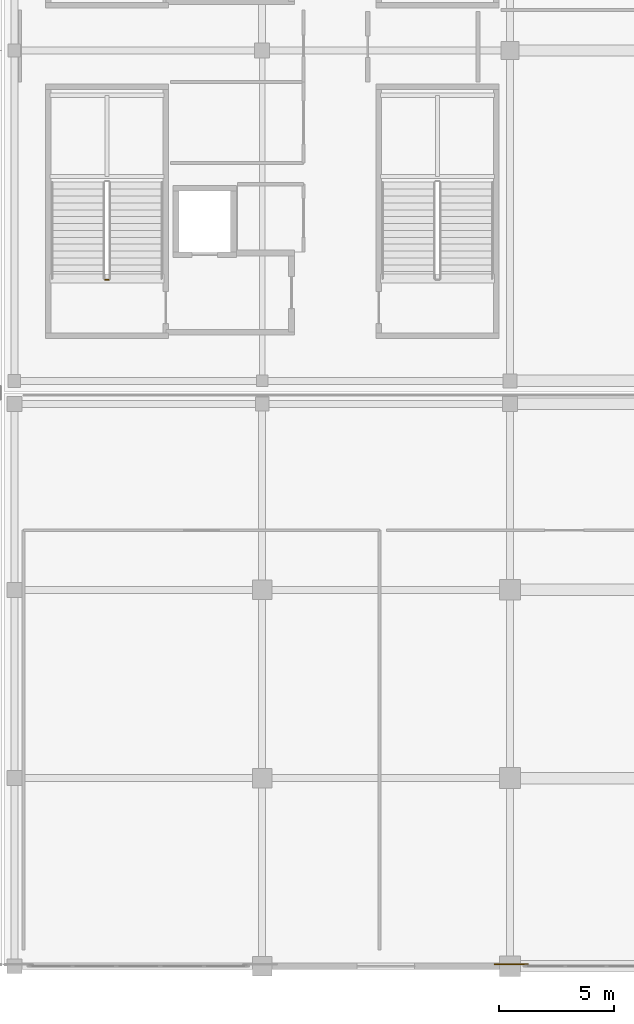
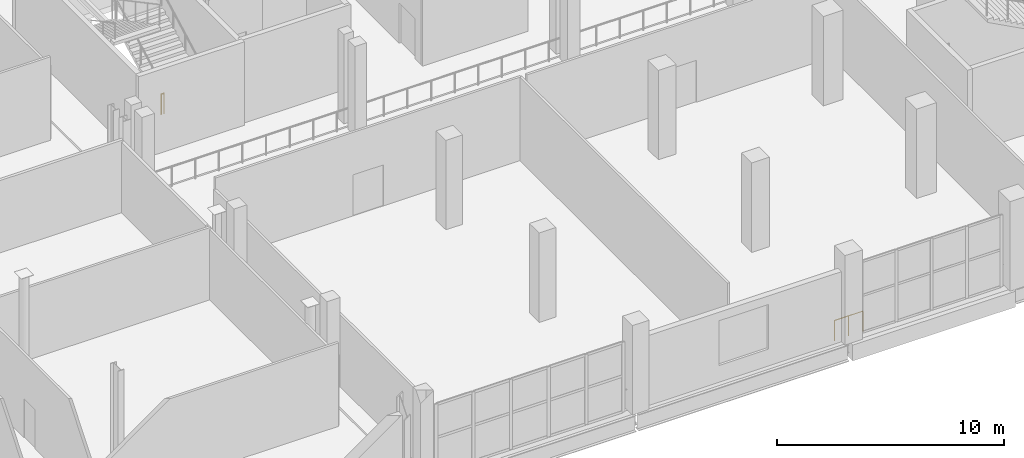
# One storey, part 111 of 142: 2 railings.
"""IFC4 building model written with IfcOpenShell, lengths in metres."""

from ifc_helpers import new_model, si_unit, direction, frame, origin, origin_2d, place, context, subcontext, project, spatial, circle, extrude, material, type_object, element, save


model = new_model("IFC4")

# Units and contexts
model_context = context("Model", 3, precision=1e-05, world=origin(), true_north=direction((0.0, 1.0)))
body_context = subcontext(model_context, "Body", "Model", "MODEL_VIEW")
ifc_project = project(units=[si_unit("LENGTHUNIT", "METRE"), si_unit("AREAUNIT", "SQUARE_METRE"), si_unit("VOLUMEUNIT", "CUBIC_METRE"), si_unit("PLANEANGLEUNIT", "RADIAN"), si_unit("MASSUNIT", "GRAM", prefix="KILO")], contexts=[model_context])

# Site, building, storey
site_placement = place(None, origin())
site = spatial("IfcSite", under=ifc_project, at=site_placement, CompositionType="ELEMENT")
building_placement = place(site_placement, origin())
building = spatial("IfcBuilding", under=site, at=building_placement, Name="Koshinbarg Plaza Stadium", CompositionType="ELEMENT")
storey_placement = place(building_placement, frame((0.0, 0.0, 10.199951171875)))
storey = spatial("IfcBuildingStorey", under=building, at=storey_placement, Name="L02", CompositionType="ELEMENT", Elevation=10.199951171875)

# Railings
ifc_material_1 = material(Name="Toughened laminated glass and stainless steel sightline balustrade", Category="steel")
railing_type_1 = type_object("IfcRailingType", Name="RL-BOWL-1100", PredefinedType="BALUSTRADE", material=ifc_material_1)
railing_1_placement = place(storey_placement, frame((46.973876953125, 0.080078125, 0.0)))
element("IfcRailing", 1, at=railing_1_placement, inside=storey, type_object=railing_type_1, Name="L02 deck edge safety balustrade 0182", PredefinedType="BALUSTRADE", context=body_context, shape_type="SweptSolid", body=[
    extrude(circle(Radius=0.02392578125, at=origin_2d()), frame((0.0, 0.0, 1.076171875), z_axis=(-1.0, 0.0, 0.0), x_axis=(0.0, -1.0, 0.0)), (0.0, 0.0, 1.0), 1.448974609375),
    extrude(circle(Radius=0.02099609375, at=origin_2d()), origin(), (0.0, 0.0, 1.0), 1.052001953125),
    extrude(circle(Radius=0.02099609375, at=origin_2d()), frame((-0.724609375, 0.0, 0.0)), (0.0, 0.0, 1.0), 1.052001953125),
    extrude(circle(Radius=0.02099609375, at=origin_2d()), frame((-1.448974609375, 0.0, 0.0)), (0.0, 0.0, 1.0), 1.052001953125),
])
ifc_material_2 = material(Name="Galvanized painted steel guardrail", Category="steel")
railing_type_2 = type_object("IfcRailingType", Name="RL-GUARD-1100", PredefinedType="GUARDRAIL", material=ifc_material_2)
railing_2_placement = place(storey_placement, frame((28.7099609375, 29.909912109375, 0.0)))
element("IfcRailing", 2, at=railing_2_placement, inside=storey, type_object=railing_type_2, Name="L02 C01 stair guard 4", PredefinedType="GUARDRAIL", context=body_context, shape_type="SweptSolid", body=[
    extrude(circle(Radius=0.02392578125, at=origin_2d()), frame((0.0, 0.0, 1.076171875), z_axis=(-1.0, 0.0, 0.0), x_axis=(0.0, -1.0, 0.0)), (0.0, 0.0, 1.0), 0.14990234375),
    extrude(circle(Radius=0.02099609375, at=origin_2d()), origin(), (0.0, 0.0, 1.0), 1.052001953125),
    extrude(circle(Radius=0.02099609375, at=origin_2d()), frame((-0.14990234375, 0.0, 0.0)), (0.0, 0.0, 1.0), 1.052001953125),
])

save(model, "model.ifc")
